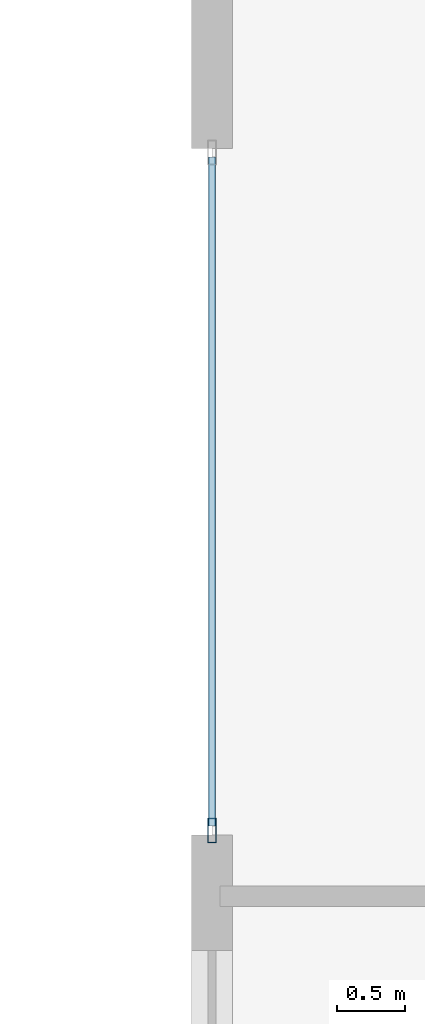
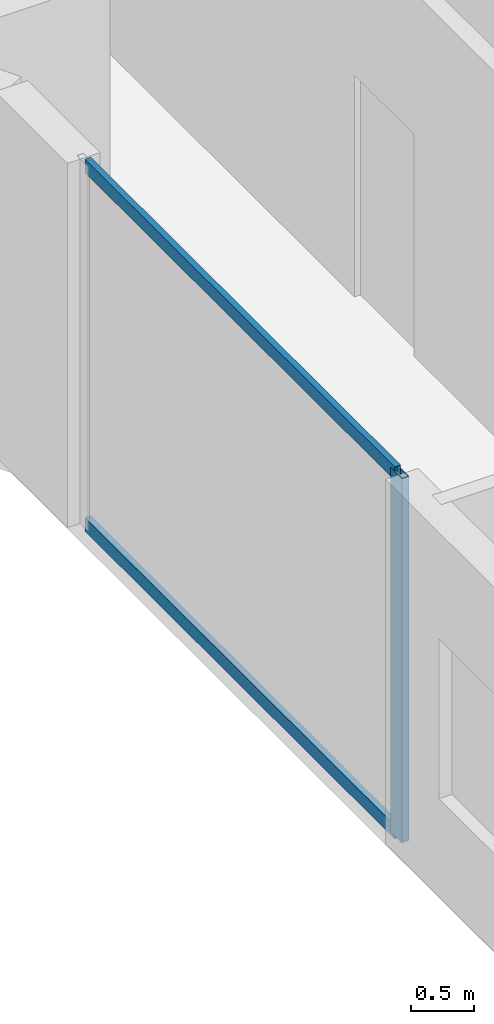
# One storey, part 4 of 32: 3 members, 1 element without a shape of its own.
"""IFC4 building model written with IfcOpenShell, lengths in metres."""

from ifc_helpers import new_model, si_unit, direction, frame, origin, origin_2d, place, context, subcontext, project, spatial, hollow_rectangle, extrude, material, layer, layer_set, material_profile, profile_set, type_object, element, aggregate, save


model = new_model("IFC4")

# Units and contexts
model_context = context("Model", 3, precision=1e-05, world=origin(), true_north=direction((0.0, 1.0)))
body_context = subcontext(model_context, "Body", "Model", "MODEL_VIEW")
ifc_project = project(units=[si_unit("LENGTHUNIT", "METRE"), si_unit("AREAUNIT", "SQUARE_METRE"), si_unit("VOLUMEUNIT", "CUBIC_METRE"), si_unit("PLANEANGLEUNIT", "RADIAN"), si_unit("MASSUNIT", "GRAM", prefix="KILO")], contexts=[model_context])

# Site, building, storey
site_placement = place(None, origin())
site = spatial("IfcSite", under=ifc_project, at=site_placement, CompositionType="ELEMENT")
building_placement = place(site_placement, origin())
building = spatial("IfcBuilding", under=site, at=building_placement, Name="Zuhayl Quay Hotel", CompositionType="ELEMENT")
storey_placement = place(building_placement, frame((0.0, 0.0, 184.89990234375)))
storey = spatial("IfcBuildingStorey", under=building, at=storey_placement, Name="L46", CompositionType="ELEMENT", Elevation=184.89990234375)

# Curtain wall, members
ifc_material_1 = material(Name="Anodised Aluminium 6063-T6", Category="aluminium")
ifc_layer = layer(ifc_material_1, 0.175048828125, Name="Anodised Aluminium 6063-T6", Category="aluminium")
ifc_layer_set = layer_set([ifc_layer], Name="Anodised Aluminium 6063-T6")
curtain_wall_type = type_object("IfcCurtainWallType", Name="CW_SYS_Z3", PredefinedType="USERDEFINED", material=ifc_layer_set)
curtain_wall_placement = place(storey_placement, origin())
curtain_wall = element("IfcCurtainWall", 1, at=curtain_wall_placement, inside=storey, type_object=curtain_wall_type, Name="L46 Curtain Wall ENV_L46_E02_CW1", ObjectType="UNITISED CURTAIN WALL", PredefinedType="USERDEFINED")
ifc_material_2 = material(Name="Black-anodised aluminium 6063-T6", Category="aluminium")
ifc_material_profile_1 = material_profile(ifc_material_2, hollow_rectangle(XDim=0.06494140625, YDim=0.179931640625, WallThickness=0.00341796875, at=origin_2d()), Name="ALU180X65")
ifc_profile_set_1 = profile_set([ifc_material_profile_1], Name="Black-anodised aluminium 6063-T6")
member_type_1 = type_object("IfcMemberType", Name="MB_CW_MUL_180", PredefinedType="MULLION", material=ifc_profile_set_1)
member_1_placement = place(storey_placement, frame((-22.10009765625, 2.032470703125, 0.0), z_axis=(0.0, 0.0, 1.0), x_axis=(-1.0, 0.0, 0.0)))
member_1 = element("IfcMember", 2, at=member_1_placement, type_object=member_type_1, Name="CW-Z3 mullion 1", PredefinedType="MULLION", context=body_context, shape_type="SweptSolid", body=[
    extrude(hollow_rectangle(XDim=0.06494140625, YDim=0.179931640625, WallThickness=0.00341796875, at=origin_2d()), origin(), (0.0, 0.0, 1.0), 3.530029296875),
])
ifc_material_profile_2 = material_profile(ifc_material_2, hollow_rectangle(XDim=0.054931640625, YDim=0.1298828125, WallThickness=0.0029296875, at=origin_2d()), Name="ALU130X55")
ifc_profile_set_2 = profile_set([ifc_material_profile_2], Name="Black-anodised aluminium 6063-T6")
member_type_2 = type_object("IfcMemberType", Name="MB_CW_TRN_130", PredefinedType="USERDEFINED", material=ifc_profile_set_2)
member_2_placement = place(storey_placement, frame((-22.10009765625, 2.06494140625, 0.027587890625), z_axis=(0.0, 1.0, 0.0), x_axis=(-1.0, 0.0, 0.0)))
member_2 = element("IfcMember", 3, at=member_2_placement, type_object=member_type_2, Name="CW-Z3 transom 1.1", ObjectType="TRANSOM", PredefinedType="USERDEFINED", context=body_context, shape_type="SweptSolid", body=[
    extrude(hollow_rectangle(XDim=0.054931640625, YDim=0.1298828125, WallThickness=0.0029296875, at=origin_2d()), origin(), (0.0, 0.0, 1.0), 4.920166015625),
])
member_3_placement = place(storey_placement, frame((-22.10009765625, 2.06494140625, 3.502685546875), z_axis=(0.0, 1.0, 0.0), x_axis=(-1.0, 0.0, 0.0)))
member_3 = element("IfcMember", 4, at=member_3_placement, type_object=member_type_2, Name="CW-Z3 transom 1.2", ObjectType="TRANSOM", PredefinedType="USERDEFINED", context=body_context, shape_type="SweptSolid", body=[
    extrude(hollow_rectangle(XDim=0.054931640625, YDim=0.1298828125, WallThickness=0.0029296875, at=origin_2d()), origin(), (0.0, 0.0, 1.0), 4.920166015625),
])
aggregate(curtain_wall, [member_1, member_2, member_3])

save(model, "model.ifc")
